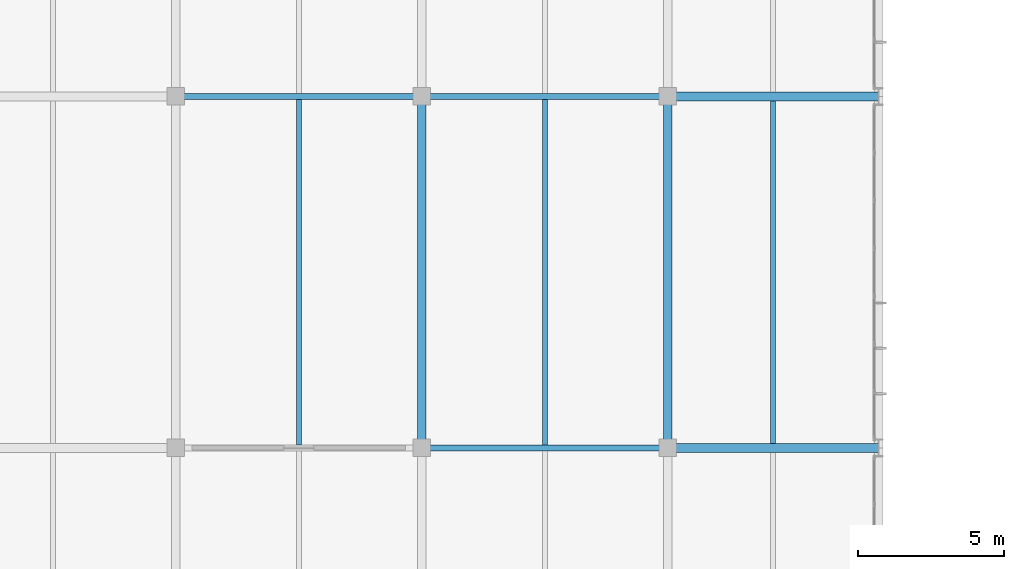
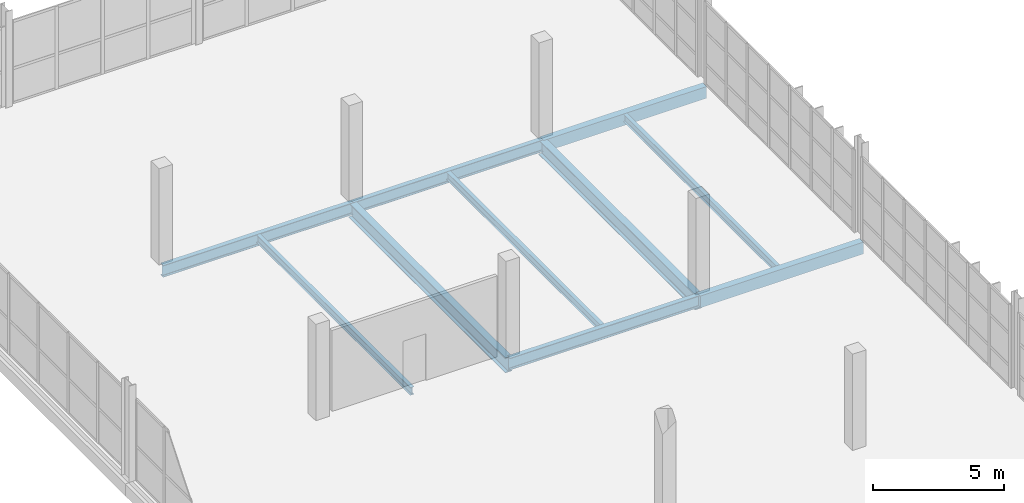
# One storey, part 93 of 130: 10 beams.
"""IFC4 building model written with IfcOpenShell, lengths in metres."""

from ifc_helpers import new_model, si_unit, direction, frame, origin, origin_2d, place, context, subcontext, project, spatial, rectangle, i_section, extrude, material, material_profile, profile_set, type_object, element, save


model = new_model("IFC4")

# Units and contexts
model_context = context("Model", 3, precision=1e-05, world=origin(), true_north=direction((0.0, 1.0)))
body_context = subcontext(model_context, "Body", "Model", "MODEL_VIEW")
ifc_project = project(units=[si_unit("LENGTHUNIT", "METRE"), si_unit("AREAUNIT", "SQUARE_METRE"), si_unit("VOLUMEUNIT", "CUBIC_METRE"), si_unit("PLANEANGLEUNIT", "RADIAN"), si_unit("MASSUNIT", "GRAM", prefix="KILO")], contexts=[model_context])

# Site, building, storey
site_placement = place(None, origin())
site = spatial("IfcSite", under=ifc_project, at=site_placement, CompositionType="ELEMENT")
building_placement = place(site_placement, origin())
building = spatial("IfcBuilding", under=site, at=building_placement, Name="Veltarok Museum of Natural Sciences", CompositionType="ELEMENT")
storey_placement = place(building_placement, frame((0.0, 0.0, 12.89990234375)))
storey = spatial("IfcBuildingStorey", under=building, at=storey_placement, Name="L02", CompositionType="ELEMENT", Elevation=12.89990234375)

# Beams
ifc_material_1 = material(Name="Steel S355J2", Category="steel")
ifc_material_profile_1 = material_profile(ifc_material_1, i_section(OverallWidth=0.2099609375, OverallDepth=0.550048828125, WebThickness=0.010986328125, FlangeThickness=0.01708984375, FilletRadius=0.02392578125, at=origin_2d()), Name="IPE 550")
ifc_profile_set_1 = profile_set([ifc_material_profile_1], Name="Steel S355J2")
beam_type_1 = type_object("IfcBeamType", Name="Archive Heavy Girder IPE 550", PredefinedType="BEAM", material=ifc_profile_set_1)
beam_1_placement = place(storey_placement, frame((149.199951171875, 48.0, -0.52490234375), z_axis=(1.0, 0.0, 0.0), x_axis=(0.0, 1.0, 0.0)))
element("IfcBeam", 1, at=beam_1_placement, inside=storey, type_object=beam_type_1, Name="Beam BM-G03 L02 18-19/F", PredefinedType="BEAM", context=body_context, shape_type="SweptSolid", body=[
    extrude(i_section(OverallWidth=0.2099609375, OverallDepth=0.550048828125, WebThickness=0.010986328125, FlangeThickness=0.01708984375, FilletRadius=0.02392578125, at=origin_2d()), origin(), (0.0, 0.0, 1.0), 8.400146484375),
])
beam_2_placement = place(storey_placement, frame((140.800048828125, 60.0, -0.52490234375), z_axis=(1.0, 0.0, 0.0), x_axis=(0.0, 1.0, 0.0)))
element("IfcBeam", 2, at=beam_2_placement, inside=storey, type_object=beam_type_1, Name="Beam BM-G03 L02 17-18/G", PredefinedType="BEAM", context=body_context, shape_type="SweptSolid", body=[
    extrude(i_section(OverallWidth=0.2099609375, OverallDepth=0.550048828125, WebThickness=0.010986328125, FlangeThickness=0.01708984375, FilletRadius=0.02392578125, at=origin_2d()), origin(), (0.0, 0.0, 1.0), 8.39990234375),
])
beam_3_placement = place(storey_placement, frame((149.199951171875, 60.0, -0.52490234375), z_axis=(1.0, 0.0, 0.0), x_axis=(0.0, 1.0, 0.0)))
element("IfcBeam", 3, at=beam_3_placement, inside=storey, type_object=beam_type_1, Name="Beam BM-G03 L02 18-19/G", PredefinedType="BEAM", context=body_context, shape_type="SweptSolid", body=[
    extrude(i_section(OverallWidth=0.2099609375, OverallDepth=0.550048828125, WebThickness=0.010986328125, FlangeThickness=0.01708984375, FilletRadius=0.02392578125, at=origin_2d()), origin(), (0.0, 0.0, 1.0), 8.400146484375),
])
ifc_material_2 = material(Name="Precast concrete C40/50", Category="concrete")
ifc_material_profile_2 = material_profile(ifc_material_2, rectangle(XDim=0.300048828125, YDim=0.550048828125, at=origin_2d()), Name="RC 300x550")
ifc_profile_set_2 = profile_set([ifc_material_profile_2], Name="Precast concrete C40/50")
beam_type_2 = type_object("IfcBeamType", Name="East Wing Precast Spandrel RC 300x550", PredefinedType="SPANDREL", material=ifc_profile_set_2)
for number, where, z_axis, x_axis, name in (
    (4, (157.60009765625, 48.0, -0.52490234375), (1.0, 0.0, 0.0), (0.0, 1.0, 0.0), "Beam BM-SP02 L02 19-20/F"),
    (5, (157.60009765625, 60.0, -0.52490234375), (1.0, 0.0, 0.0), (0.0, 1.0, 0.0), "Beam BM-SP02 L02 19-20/G"),
):
    element("IfcBeam", number, at=place(storey_placement, frame(where, z_axis=z_axis, x_axis=x_axis)), inside=storey, type_object=beam_type_2, Name=name, PredefinedType="SPANDREL", context=body_context, shape_type="SweptSolid", body=[
        extrude(rectangle(XDim=0.300048828125, YDim=0.550048828125, at=origin_2d()), origin(), (0.0, 0.0, 1.0), 7.199951171875),
    ])
ifc_material_profile_3 = material_profile(ifc_material_1, i_section(OverallWidth=0.169921875, OverallDepth=0.360107421875, WebThickness=0.008056640625, FlangeThickness=0.0126953125, FilletRadius=0.01806640625, at=origin_2d()), Name="IPE 360")
ifc_profile_set_3 = profile_set([ifc_material_profile_3], Name="Steel S355J2")
beam_type_3 = type_object("IfcBeamType", Name="Long-Bay Composite Joist IPE 360", PredefinedType="JOIST", material=ifc_profile_set_3)
for number, where, z_axis, x_axis, name in (
    (6, (145.0, 48.10302734375, -0.429931640625), (0.0, 1.0, 0.0), (-1.0, 0.0, 0.0), "Secondary Joist BM-J01 L02 17-18/F-G.1"),
    (7, (153.39990234375, 48.10302734375, -0.429931640625), (0.0, 1.0, 0.0), (-1.0, 0.0, 0.0), "Secondary Joist BM-J01 L02 18-19/F-G.1"),
):
    element("IfcBeam", number, at=place(storey_placement, frame(where, z_axis=z_axis, x_axis=x_axis)), inside=storey, type_object=beam_type_3, Name=name, PredefinedType="JOIST", context=body_context, shape_type="SweptSolid", body=[
        extrude(i_section(OverallWidth=0.169921875, OverallDepth=0.360107421875, WebThickness=0.008056640625, FlangeThickness=0.0126953125, FilletRadius=0.01806640625, at=origin_2d()), origin(), (0.0, 0.0, 1.0), 11.7939453125),
    ])
beam_4_placement = place(storey_placement, frame((161.199951171875, 48.14794921875, -0.429931640625), z_axis=(0.0, 1.0, 0.0), x_axis=(-1.0, 0.0, 0.0)))
element("IfcBeam", 8, at=beam_4_placement, inside=storey, type_object=beam_type_3, Name="Secondary Joist BM-J01 L02 19-20/F-G.1", PredefinedType="JOIST", context=body_context, shape_type="SweptSolid", body=[
    extrude(i_section(OverallWidth=0.169921875, OverallDepth=0.360107421875, WebThickness=0.008056640625, FlangeThickness=0.0126953125, FilletRadius=0.01806640625, at=origin_2d()), origin(), (0.0, 0.0, 1.0), 11.7041015625),
])
ifc_material_profile_4 = material_profile(ifc_material_1, i_section(OverallWidth=0.300048828125, OverallDepth=0.699951171875, WebThickness=0.01708984375, FlangeThickness=0.031982421875, FilletRadius=0.027099609375, at=origin_2d()), Name="HEB 700")
ifc_profile_set_4 = profile_set([ifc_material_profile_4], Name="Steel S355J2")
beam_type_4 = type_object("IfcBeamType", Name="Long-Span Hall Girder HEB 700", PredefinedType="BEAM", material=ifc_profile_set_4)
for number, where, z_axis, x_axis, name in (
    (9, (149.199951171875, 48.0, -0.599853515625), (0.0, 1.0, 0.0), (-1.0, 0.0, 0.0), "Beam BM-G01 L02 18/F-G"),
    (10, (157.60009765625, 48.0, -0.599853515625), (0.0, 1.0, 0.0), (-1.0, 0.0, 0.0), "Beam BM-G01 L02 19/F-G"),
):
    element("IfcBeam", number, at=place(storey_placement, frame(where, z_axis=z_axis, x_axis=x_axis)), inside=storey, type_object=beam_type_4, Name=name, PredefinedType="BEAM", context=body_context, shape_type="SweptSolid", body=[
        extrude(i_section(OverallWidth=0.300048828125, OverallDepth=0.699951171875, WebThickness=0.01708984375, FlangeThickness=0.031982421875, FilletRadius=0.027099609375, at=origin_2d()), origin(), (0.0, 0.0, 1.0), 12.0),
    ])

save(model, "model.ifc")
